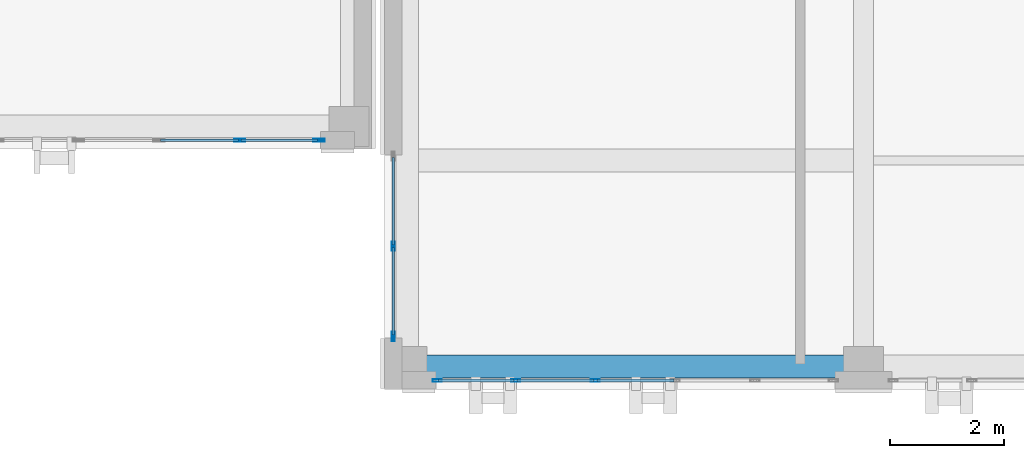
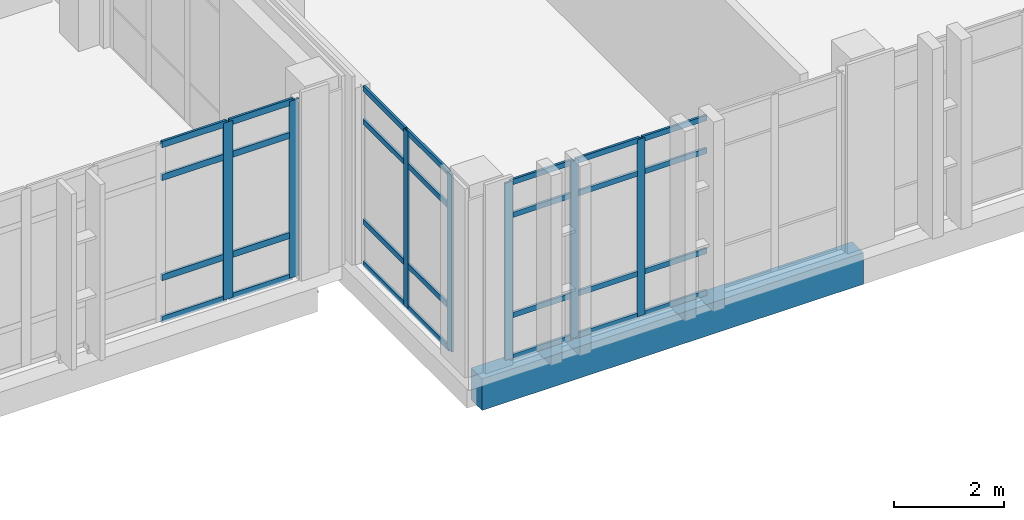
# One storey, part 45 of 193: 35 members, 1 beam, 3 elements without a shape of their own.
"""IFC4 building model written with IfcOpenShell, lengths in metres."""

from ifc_helpers import new_model, si_unit, direction, frame, origin, origin_2d, place, context, subcontext, project, spatial, rectangle, hollow_rectangle, extrude, material, layer, layer_set, material_profile, profile_set, type_object, element, aggregate, save


model = new_model("IFC4")

# Units and contexts
model_context = context("Model", 3, precision=1e-05, world=origin(), true_north=direction((0.0, 1.0)))
body_context = subcontext(model_context, "Body", "Model", "MODEL_VIEW")
ifc_project = project(units=[si_unit("LENGTHUNIT", "METRE"), si_unit("AREAUNIT", "SQUARE_METRE"), si_unit("VOLUMEUNIT", "CUBIC_METRE"), si_unit("PLANEANGLEUNIT", "RADIAN"), si_unit("MASSUNIT", "GRAM", prefix="KILO")], contexts=[model_context])

# Site, building, storey
site_placement = place(None, origin())
site = spatial("IfcSite", under=ifc_project, at=site_placement, CompositionType="ELEMENT")
building_placement = place(site_placement, origin())
building = spatial("IfcBuilding", under=site, at=building_placement, Name="Qalavern Law Courts", CompositionType="ELEMENT")
storey_placement = place(building_placement, frame((0.0, 0.0, 10.199951171875)))
storey = spatial("IfcBuildingStorey", under=building, at=storey_placement, Name="L02", CompositionType="ELEMENT", Elevation=10.199951171875)

# Curtain wall, members
ifc_material_1 = material(Name="Anodised aluminium and insulated glazing", Category="aluminium")
ifc_layer_1 = layer(ifc_material_1, 0.172119140625)
ifc_layer_set_1 = layer_set([ifc_layer_1], Name="Anodised aluminium and insulated glazing")
curtain_wall_type_1 = type_object("IfcCurtainWallType", Name="ENV-CW-COURT", PredefinedType="USERDEFINED", material=ifc_layer_set_1)
curtain_wall_1_placement = place(storey_placement, origin())
curtain_wall_1 = element("IfcCurtainWall", 1, at=curtain_wall_1_placement, inside=storey, type_object=curtain_wall_type_1, Name="V6 unitised curtain wall L02 south 1", ObjectType="UNITISED CURTAIN WALL", PredefinedType="USERDEFINED")
ifc_material_2 = material(Name="Anodised aluminium", Category="aluminium")
ifc_material_profile_1 = material_profile(ifc_material_2, hollow_rectangle(XDim=0.048095703125, YDim=0.159912109375, WallThickness=0.00390625, at=origin_2d()), Name="ALU MULLION 48x160")
ifc_profile_set_1 = profile_set([ifc_material_profile_1], Name="Anodised aluminium")
member_type_1 = type_object("IfcMemberType", Name="ENV-CWM-48x160", PredefinedType="MULLION", material=ifc_profile_set_1)
member_1_placement = place(storey_placement, frame((102.343994140625, 1.155029296875, 0.0), z_axis=(0.0, 0.0, 1.0), x_axis=(0.0, 1.0, 0.0)))
member_1 = element("IfcMember", 2, at=member_1_placement, type_object=member_type_1, Name="CW-03 mullion 1", PredefinedType="MULLION", context=body_context, shape_type="SweptSolid", body=[
    extrude(hollow_rectangle(XDim=0.048095703125, YDim=0.159912109375, WallThickness=0.00390625, at=origin_2d()), origin(), (0.0, 0.0, 1.0), 3.9150390625),
])
member_2_placement = place(storey_placement, frame((103.716064453125, 1.155029296875, 0.0), z_axis=(0.0, 0.0, 1.0), x_axis=(0.0, 1.0, 0.0)))
member_2 = element("IfcMember", 3, at=member_2_placement, type_object=member_type_1, Name="CW-03 mullion 2", PredefinedType="MULLION", context=body_context, shape_type="SweptSolid", body=[
    extrude(hollow_rectangle(XDim=0.048095703125, YDim=0.159912109375, WallThickness=0.00390625, at=origin_2d()), origin(), (0.0, 0.0, 1.0), 3.9150390625),
])
member_3_placement = place(storey_placement, frame((105.112060546875, 1.155029296875, 0.0), z_axis=(0.0, 0.0, 1.0), x_axis=(0.0, 1.0, 0.0)))
member_3 = element("IfcMember", 4, at=member_3_placement, type_object=member_type_1, Name="CW-03 mullion 3", PredefinedType="MULLION", context=body_context, shape_type="SweptSolid", body=[
    extrude(hollow_rectangle(XDim=0.048095703125, YDim=0.159912109375, WallThickness=0.00390625, at=origin_2d()), origin(), (0.0, 0.0, 1.0), 3.9150390625),
])

curtain_wall_2_placement = place(storey_placement, origin())
curtain_wall_2 = element("IfcCurtainWall", 5, at=curtain_wall_2_placement, inside=storey, type_object=curtain_wall_type_1, Name="V6 unitised curtain wall L02 west 2", ObjectType="UNITISED CURTAIN WALL", PredefinedType="USERDEFINED")
member_4_placement = place(storey_placement, frame((101.574951171875, 3.5, 0.0), z_axis=(0.0, 0.0, 1.0), x_axis=(1.0, 0.0, 0.0)))
member_4 = element("IfcMember", 6, at=member_4_placement, type_object=member_type_1, Name="CW-03 mullion 2", PredefinedType="MULLION", context=body_context, shape_type="SweptSolid", body=[
    extrude(hollow_rectangle(XDim=0.048095703125, YDim=0.159912109375, WallThickness=0.00390625, at=origin_2d()), origin(), (0.0, 0.0, 1.0), 3.9150390625),
])
member_5_placement = place(storey_placement, frame((101.574951171875, 1.924072265625, 0.0), z_axis=(0.0, 0.0, 1.0), x_axis=(1.0, 0.0, 0.0)))
member_5 = element("IfcMember", 7, at=member_5_placement, type_object=member_type_1, Name="CW-03 mullion 3", PredefinedType="MULLION", context=body_context, shape_type="SweptSolid", body=[
    extrude(hollow_rectangle(XDim=0.048095703125, YDim=0.159912109375, WallThickness=0.00390625, at=origin_2d()), origin(), (0.0, 0.0, 1.0), 3.9150390625),
])

ifc_layer_2 = layer(ifc_material_1, 0.18505859375)
ifc_layer_set_2 = layer_set([ifc_layer_2], Name="Anodised aluminium and insulated glazing")
curtain_wall_type_2 = type_object("IfcCurtainWallType", Name="ENV-CW-HALL", PredefinedType="USERDEFINED", material=ifc_layer_set_2)
curtain_wall_3_placement = place(storey_placement, origin())
curtain_wall_3 = element("IfcCurtainWall", 8, at=curtain_wall_3_placement, inside=storey, type_object=curtain_wall_type_2, Name="V2 unitised curtain wall L02 south 6", ObjectType="UNITISED CURTAIN WALL", PredefinedType="USERDEFINED")
ifc_material_profile_2 = material_profile(ifc_material_2, hollow_rectangle(XDim=0.048095703125, YDim=0.199951171875, WallThickness=0.00439453125, at=origin_2d()), Name="ALU MULLION 48x200")
ifc_profile_set_2 = profile_set([ifc_material_profile_2], Name="Anodised aluminium")
member_type_2 = type_object("IfcMemberType", Name="ENV-CWM-48x200", PredefinedType="MULLION", material=ifc_profile_set_2)
member_6_placement = place(storey_placement, frame((98.890869140625, 5.35498046875, 0.0), z_axis=(0.0, 0.0, 1.0), x_axis=(0.0, 1.0, 0.0)))
member_6 = element("IfcMember", 9, at=member_6_placement, type_object=member_type_2, Name="CW-02 mullion 6", PredefinedType="MULLION", context=body_context, shape_type="SweptSolid", body=[
    extrude(hollow_rectangle(XDim=0.048095703125, YDim=0.199951171875, WallThickness=0.00439453125, at=origin_2d()), origin(), (0.0, 0.0, 1.0), 3.9150390625),
])
member_7_placement = place(storey_placement, frame((100.27587890625, 5.35498046875, 0.0), z_axis=(0.0, 0.0, 1.0), x_axis=(0.0, 1.0, 0.0)))
member_7 = element("IfcMember", 10, at=member_7_placement, type_object=member_type_2, Name="CW-02 mullion 7", PredefinedType="MULLION", context=body_context, shape_type="SweptSolid", body=[
    extrude(hollow_rectangle(XDim=0.048095703125, YDim=0.199951171875, WallThickness=0.00439453125, at=origin_2d()), origin(), (0.0, 0.0, 1.0), 3.9150390625),
])

# Member
ifc_material_profile_3 = material_profile(ifc_material_2, hollow_rectangle(XDim=0.048095703125, YDim=0.1201171875, WallThickness=0.00390625, at=origin_2d()), Name="ALU TRANSOM 48x120")
ifc_profile_set_3 = profile_set([ifc_material_profile_3], Name="Anodised aluminium")
member_type_3 = type_object("IfcMemberType", Name="ENV-CWT-48x120", PredefinedType="USERDEFINED", material=ifc_profile_set_3)
member_8_placement = place(storey_placement, frame((102.367919921875, 1.155029296875, 0.024169921875), z_axis=(1.0, 0.0, 0.0), x_axis=(0.0, 1.0, 0.0)))
member_8 = element("IfcMember", 11, at=member_8_placement, type_object=member_type_3, Name="CW-03 transom 1.1", ObjectType="TRANSOM", PredefinedType="USERDEFINED", context=body_context, shape_type="SweptSolid", body=[
    extrude(hollow_rectangle(XDim=0.048095703125, YDim=0.1201171875, WallThickness=0.00390625, at=origin_2d()), origin(), (0.0, 0.0, 1.0), 1.323974609375),
])

member_9_placement = place(storey_placement, frame((102.367919921875, 1.155029296875, 0.949951171875), z_axis=(1.0, 0.0, 0.0), x_axis=(0.0, 1.0, 0.0)))
member_9 = element("IfcMember", 12, at=member_9_placement, type_object=member_type_3, Name="CW-03 transom 1.2", ObjectType="TRANSOM", PredefinedType="USERDEFINED", context=body_context, shape_type="SweptSolid", body=[
    extrude(hollow_rectangle(XDim=0.048095703125, YDim=0.1201171875, WallThickness=0.00390625, at=origin_2d()), origin(), (0.0, 0.0, 1.0), 1.323974609375),
])

member_10_placement = place(storey_placement, frame((102.367919921875, 1.155029296875, 3.1650390625), z_axis=(1.0, 0.0, 0.0), x_axis=(0.0, 1.0, 0.0)))
member_10 = element("IfcMember", 13, at=member_10_placement, type_object=member_type_3, Name="CW-03 transom 1.3", ObjectType="TRANSOM", PredefinedType="USERDEFINED", context=body_context, shape_type="SweptSolid", body=[
    extrude(hollow_rectangle(XDim=0.048095703125, YDim=0.1201171875, WallThickness=0.00390625, at=origin_2d()), origin(), (0.0, 0.0, 1.0), 1.323974609375),
])

member_11_placement = place(storey_placement, frame((102.367919921875, 1.155029296875, 3.89111328125), z_axis=(1.0, 0.0, 0.0), x_axis=(0.0, 1.0, 0.0)))
member_11 = element("IfcMember", 14, at=member_11_placement, type_object=member_type_3, Name="CW-03 transom 1.4", ObjectType="TRANSOM", PredefinedType="USERDEFINED", context=body_context, shape_type="SweptSolid", body=[
    extrude(hollow_rectangle(XDim=0.048095703125, YDim=0.1201171875, WallThickness=0.00390625, at=origin_2d()), origin(), (0.0, 0.0, 1.0), 1.323974609375),
])

member_12_placement = place(storey_placement, frame((103.739990234375, 1.155029296875, 0.024169921875), z_axis=(1.0, 0.0, 0.0), x_axis=(0.0, 1.0, 0.0)))
member_12 = element("IfcMember", 15, at=member_12_placement, type_object=member_type_3, Name="CW-03 transom 2.1", ObjectType="TRANSOM", PredefinedType="USERDEFINED", context=body_context, shape_type="SweptSolid", body=[
    extrude(hollow_rectangle(XDim=0.048095703125, YDim=0.1201171875, WallThickness=0.00390625, at=origin_2d()), origin(), (0.0, 0.0, 1.0), 1.347900390625),
])

member_13_placement = place(storey_placement, frame((103.739990234375, 1.155029296875, 0.949951171875), z_axis=(1.0, 0.0, 0.0), x_axis=(0.0, 1.0, 0.0)))
member_13 = element("IfcMember", 16, at=member_13_placement, type_object=member_type_3, Name="CW-03 transom 2.2", ObjectType="TRANSOM", PredefinedType="USERDEFINED", context=body_context, shape_type="SweptSolid", body=[
    extrude(hollow_rectangle(XDim=0.048095703125, YDim=0.1201171875, WallThickness=0.00390625, at=origin_2d()), origin(), (0.0, 0.0, 1.0), 1.347900390625),
])

member_14_placement = place(storey_placement, frame((103.739990234375, 1.155029296875, 3.1650390625), z_axis=(1.0, 0.0, 0.0), x_axis=(0.0, 1.0, 0.0)))
member_14 = element("IfcMember", 17, at=member_14_placement, type_object=member_type_3, Name="CW-03 transom 2.3", ObjectType="TRANSOM", PredefinedType="USERDEFINED", context=body_context, shape_type="SweptSolid", body=[
    extrude(hollow_rectangle(XDim=0.048095703125, YDim=0.1201171875, WallThickness=0.00390625, at=origin_2d()), origin(), (0.0, 0.0, 1.0), 1.347900390625),
])

member_15_placement = place(storey_placement, frame((103.739990234375, 1.155029296875, 3.89111328125), z_axis=(1.0, 0.0, 0.0), x_axis=(0.0, 1.0, 0.0)))
member_15 = element("IfcMember", 18, at=member_15_placement, type_object=member_type_3, Name="CW-03 transom 2.4", ObjectType="TRANSOM", PredefinedType="USERDEFINED", context=body_context, shape_type="SweptSolid", body=[
    extrude(hollow_rectangle(XDim=0.048095703125, YDim=0.1201171875, WallThickness=0.00390625, at=origin_2d()), origin(), (0.0, 0.0, 1.0), 1.347900390625),
])

member_16_placement = place(storey_placement, frame((105.135986328125, 1.155029296875, 0.024169921875), z_axis=(1.0, 0.0, 0.0), x_axis=(0.0, 1.0, 0.0)))
member_16 = element("IfcMember", 19, at=member_16_placement, type_object=member_type_3, Name="CW-03 transom 3.1", ObjectType="TRANSOM", PredefinedType="USERDEFINED", context=body_context, shape_type="SweptSolid", body=[
    extrude(hollow_rectangle(XDim=0.048095703125, YDim=0.1201171875, WallThickness=0.00390625, at=origin_2d()), origin(), (0.0, 0.0, 1.0), 1.347900390625),
])

member_17_placement = place(storey_placement, frame((105.135986328125, 1.155029296875, 0.949951171875), z_axis=(1.0, 0.0, 0.0), x_axis=(0.0, 1.0, 0.0)))
member_17 = element("IfcMember", 20, at=member_17_placement, type_object=member_type_3, Name="CW-03 transom 3.2", ObjectType="TRANSOM", PredefinedType="USERDEFINED", context=body_context, shape_type="SweptSolid", body=[
    extrude(hollow_rectangle(XDim=0.048095703125, YDim=0.1201171875, WallThickness=0.00390625, at=origin_2d()), origin(), (0.0, 0.0, 1.0), 1.347900390625),
])

member_18_placement = place(storey_placement, frame((105.135986328125, 1.155029296875, 3.1650390625), z_axis=(1.0, 0.0, 0.0), x_axis=(0.0, 1.0, 0.0)))
member_18 = element("IfcMember", 21, at=member_18_placement, type_object=member_type_3, Name="CW-03 transom 3.3", ObjectType="TRANSOM", PredefinedType="USERDEFINED", context=body_context, shape_type="SweptSolid", body=[
    extrude(hollow_rectangle(XDim=0.048095703125, YDim=0.1201171875, WallThickness=0.00390625, at=origin_2d()), origin(), (0.0, 0.0, 1.0), 1.347900390625),
])

member_19_placement = place(storey_placement, frame((105.135986328125, 1.155029296875, 3.89111328125), z_axis=(1.0, 0.0, 0.0), x_axis=(0.0, 1.0, 0.0)))
member_19 = element("IfcMember", 22, at=member_19_placement, type_object=member_type_3, Name="CW-03 transom 3.4", ObjectType="TRANSOM", PredefinedType="USERDEFINED", context=body_context, shape_type="SweptSolid", body=[
    extrude(hollow_rectangle(XDim=0.048095703125, YDim=0.1201171875, WallThickness=0.00390625, at=origin_2d()), origin(), (0.0, 0.0, 1.0), 1.347900390625),
])

aggregate(curtain_wall_1, [member_1, member_2, member_3, member_8, member_9, member_10, member_11, member_12, member_13, member_14, member_15, member_16, member_17, member_18, member_19])

member_20_placement = place(storey_placement, frame((101.574951171875, 5.052001953125, 0.024169921875), z_axis=(0.0, -1.0, 0.0), x_axis=(1.0, 0.0, 0.0)))
member_20 = element("IfcMember", 23, at=member_20_placement, type_object=member_type_3, Name="CW-03 transom 1.1", ObjectType="TRANSOM", PredefinedType="USERDEFINED", context=body_context, shape_type="SweptSolid", body=[
    extrude(hollow_rectangle(XDim=0.048095703125, YDim=0.1201171875, WallThickness=0.00390625, at=origin_2d()), origin(), (0.0, 0.0, 1.0), 1.528076171875),
])

member_21_placement = place(storey_placement, frame((101.574951171875, 5.052001953125, 0.949951171875), z_axis=(0.0, -1.0, 0.0), x_axis=(1.0, 0.0, 0.0)))
member_21 = element("IfcMember", 24, at=member_21_placement, type_object=member_type_3, Name="CW-03 transom 1.2", ObjectType="TRANSOM", PredefinedType="USERDEFINED", context=body_context, shape_type="SweptSolid", body=[
    extrude(hollow_rectangle(XDim=0.048095703125, YDim=0.1201171875, WallThickness=0.00390625, at=origin_2d()), origin(), (0.0, 0.0, 1.0), 1.528076171875),
])

member_22_placement = place(storey_placement, frame((101.574951171875, 5.052001953125, 3.1650390625), z_axis=(0.0, -1.0, 0.0), x_axis=(1.0, 0.0, 0.0)))
member_22 = element("IfcMember", 25, at=member_22_placement, type_object=member_type_3, Name="CW-03 transom 1.3", ObjectType="TRANSOM", PredefinedType="USERDEFINED", context=body_context, shape_type="SweptSolid", body=[
    extrude(hollow_rectangle(XDim=0.048095703125, YDim=0.1201171875, WallThickness=0.00390625, at=origin_2d()), origin(), (0.0, 0.0, 1.0), 1.528076171875),
])

member_23_placement = place(storey_placement, frame((101.574951171875, 5.052001953125, 3.89111328125), z_axis=(0.0, -1.0, 0.0), x_axis=(1.0, 0.0, 0.0)))
member_23 = element("IfcMember", 26, at=member_23_placement, type_object=member_type_3, Name="CW-03 transom 1.4", ObjectType="TRANSOM", PredefinedType="USERDEFINED", context=body_context, shape_type="SweptSolid", body=[
    extrude(hollow_rectangle(XDim=0.048095703125, YDim=0.1201171875, WallThickness=0.00390625, at=origin_2d()), origin(), (0.0, 0.0, 1.0), 1.528076171875),
])

member_24_placement = place(storey_placement, frame((101.574951171875, 3.47607421875, 0.024169921875), z_axis=(0.0, -1.0, 0.0), x_axis=(1.0, 0.0, 0.0)))
member_24 = element("IfcMember", 27, at=member_24_placement, type_object=member_type_3, Name="CW-03 transom 2.1", ObjectType="TRANSOM", PredefinedType="USERDEFINED", context=body_context, shape_type="SweptSolid", body=[
    extrude(hollow_rectangle(XDim=0.048095703125, YDim=0.1201171875, WallThickness=0.00390625, at=origin_2d()), origin(), (0.0, 0.0, 1.0), 1.528076171875),
])

member_25_placement = place(storey_placement, frame((101.574951171875, 3.47607421875, 0.949951171875), z_axis=(0.0, -1.0, 0.0), x_axis=(1.0, 0.0, 0.0)))
member_25 = element("IfcMember", 28, at=member_25_placement, type_object=member_type_3, Name="CW-03 transom 2.2", ObjectType="TRANSOM", PredefinedType="USERDEFINED", context=body_context, shape_type="SweptSolid", body=[
    extrude(hollow_rectangle(XDim=0.048095703125, YDim=0.1201171875, WallThickness=0.00390625, at=origin_2d()), origin(), (0.0, 0.0, 1.0), 1.528076171875),
])

member_26_placement = place(storey_placement, frame((101.574951171875, 3.47607421875, 3.1650390625), z_axis=(0.0, -1.0, 0.0), x_axis=(1.0, 0.0, 0.0)))
member_26 = element("IfcMember", 29, at=member_26_placement, type_object=member_type_3, Name="CW-03 transom 2.3", ObjectType="TRANSOM", PredefinedType="USERDEFINED", context=body_context, shape_type="SweptSolid", body=[
    extrude(hollow_rectangle(XDim=0.048095703125, YDim=0.1201171875, WallThickness=0.00390625, at=origin_2d()), origin(), (0.0, 0.0, 1.0), 1.528076171875),
])

member_27_placement = place(storey_placement, frame((101.574951171875, 3.47607421875, 3.89111328125), z_axis=(0.0, -1.0, 0.0), x_axis=(1.0, 0.0, 0.0)))
member_27 = element("IfcMember", 30, at=member_27_placement, type_object=member_type_3, Name="CW-03 transom 2.4", ObjectType="TRANSOM", PredefinedType="USERDEFINED", context=body_context, shape_type="SweptSolid", body=[
    extrude(hollow_rectangle(XDim=0.048095703125, YDim=0.1201171875, WallThickness=0.00390625, at=origin_2d()), origin(), (0.0, 0.0, 1.0), 1.528076171875),
])

aggregate(curtain_wall_2, [member_4, member_5, member_20, member_21, member_22, member_23, member_24, member_25, member_26, member_27])

ifc_material_profile_4 = material_profile(ifc_material_2, hollow_rectangle(XDim=0.048095703125, YDim=0.139892578125, WallThickness=0.00390625, at=origin_2d()), Name="ALU TRANSOM 48x140")
ifc_profile_set_4 = profile_set([ifc_material_profile_4], Name="Anodised aluminium")
member_type_4 = type_object("IfcMemberType", Name="ENV-CWT-48x140", PredefinedType="USERDEFINED", material=ifc_profile_set_4)
member_28_placement = place(storey_placement, frame((97.505859375, 5.35498046875, 0.024169921875), z_axis=(1.0, 0.0, 0.0), x_axis=(0.0, 1.0, 0.0)))
member_28 = element("IfcMember", 31, at=member_28_placement, type_object=member_type_4, Name="CW-02 transom 5.1", ObjectType="TRANSOM", PredefinedType="USERDEFINED", context=body_context, shape_type="SweptSolid", body=[
    extrude(hollow_rectangle(XDim=0.048095703125, YDim=0.139892578125, WallThickness=0.00390625, at=origin_2d()), origin(), (0.0, 0.0, 1.0), 1.361083984375),
])

member_29_placement = place(storey_placement, frame((97.505859375, 5.35498046875, 0.949951171875), z_axis=(1.0, 0.0, 0.0), x_axis=(0.0, 1.0, 0.0)))
member_29 = element("IfcMember", 32, at=member_29_placement, type_object=member_type_4, Name="CW-02 transom 5.2", ObjectType="TRANSOM", PredefinedType="USERDEFINED", context=body_context, shape_type="SweptSolid", body=[
    extrude(hollow_rectangle(XDim=0.048095703125, YDim=0.139892578125, WallThickness=0.00390625, at=origin_2d()), origin(), (0.0, 0.0, 1.0), 1.361083984375),
])

member_30_placement = place(storey_placement, frame((97.505859375, 5.35498046875, 3.1650390625), z_axis=(1.0, 0.0, 0.0), x_axis=(0.0, 1.0, 0.0)))
member_30 = element("IfcMember", 33, at=member_30_placement, type_object=member_type_4, Name="CW-02 transom 5.3", ObjectType="TRANSOM", PredefinedType="USERDEFINED", context=body_context, shape_type="SweptSolid", body=[
    extrude(hollow_rectangle(XDim=0.048095703125, YDim=0.139892578125, WallThickness=0.00390625, at=origin_2d()), origin(), (0.0, 0.0, 1.0), 1.361083984375),
])

member_31_placement = place(storey_placement, frame((97.505859375, 5.35498046875, 3.89111328125), z_axis=(1.0, 0.0, 0.0), x_axis=(0.0, 1.0, 0.0)))
member_31 = element("IfcMember", 34, at=member_31_placement, type_object=member_type_4, Name="CW-02 transom 5.4", ObjectType="TRANSOM", PredefinedType="USERDEFINED", context=body_context, shape_type="SweptSolid", body=[
    extrude(hollow_rectangle(XDim=0.048095703125, YDim=0.139892578125, WallThickness=0.00390625, at=origin_2d()), origin(), (0.0, 0.0, 1.0), 1.361083984375),
])

member_32_placement = place(storey_placement, frame((98.9150390625, 5.35498046875, 0.024169921875), z_axis=(1.0, 0.0, 0.0), x_axis=(0.0, 1.0, 0.0)))
member_32 = element("IfcMember", 35, at=member_32_placement, type_object=member_type_4, Name="CW-02 transom 6.1", ObjectType="TRANSOM", PredefinedType="USERDEFINED", context=body_context, shape_type="SweptSolid", body=[
    extrude(hollow_rectangle(XDim=0.048095703125, YDim=0.139892578125, WallThickness=0.00390625, at=origin_2d()), origin(), (0.0, 0.0, 1.0), 1.3369140625),
])

member_33_placement = place(storey_placement, frame((98.9150390625, 5.35498046875, 0.949951171875), z_axis=(1.0, 0.0, 0.0), x_axis=(0.0, 1.0, 0.0)))
member_33 = element("IfcMember", 36, at=member_33_placement, type_object=member_type_4, Name="CW-02 transom 6.2", ObjectType="TRANSOM", PredefinedType="USERDEFINED", context=body_context, shape_type="SweptSolid", body=[
    extrude(hollow_rectangle(XDim=0.048095703125, YDim=0.139892578125, WallThickness=0.00390625, at=origin_2d()), origin(), (0.0, 0.0, 1.0), 1.3369140625),
])

member_34_placement = place(storey_placement, frame((98.9150390625, 5.35498046875, 3.1650390625), z_axis=(1.0, 0.0, 0.0), x_axis=(0.0, 1.0, 0.0)))
member_34 = element("IfcMember", 37, at=member_34_placement, type_object=member_type_4, Name="CW-02 transom 6.3", ObjectType="TRANSOM", PredefinedType="USERDEFINED", context=body_context, shape_type="SweptSolid", body=[
    extrude(hollow_rectangle(XDim=0.048095703125, YDim=0.139892578125, WallThickness=0.00390625, at=origin_2d()), origin(), (0.0, 0.0, 1.0), 1.3369140625),
])

member_35_placement = place(storey_placement, frame((98.9150390625, 5.35498046875, 3.89111328125), z_axis=(1.0, 0.0, 0.0), x_axis=(0.0, 1.0, 0.0)))
member_35 = element("IfcMember", 38, at=member_35_placement, type_object=member_type_4, Name="CW-02 transom 6.4", ObjectType="TRANSOM", PredefinedType="USERDEFINED", context=body_context, shape_type="SweptSolid", body=[
    extrude(hollow_rectangle(XDim=0.048095703125, YDim=0.139892578125, WallThickness=0.00390625, at=origin_2d()), origin(), (0.0, 0.0, 1.0), 1.3369140625),
])

aggregate(curtain_wall_3, [member_6, member_7, member_28, member_29, member_30, member_31, member_32, member_33, member_34, member_35])

# Beam
ifc_material_3 = material(Name="Concrete C40/50", Category="concrete")
ifc_material_profile_5 = material_profile(ifc_material_3, rectangle(XDim=0.39990234375, YDim=0.699951171875, at=origin_2d()), Name="RC 400x700")
ifc_profile_set_5 = profile_set([ifc_material_profile_5], Name="Concrete C40/50")
beam_type = type_object("IfcBeamType", Name="STR-SP-RC400x700", PredefinedType="SPANDREL", material=ifc_profile_set_5)
beam_placement = place(storey_placement, frame((101.820068359375, 1.39990234375, -0.639892578125), z_axis=(1.0, 0.0, 0.0), x_axis=(0.0, 1.0, 0.0)))
element("IfcBeam", 39, at=beam_placement, inside=storey, type_object=beam_type, Name="V6 X-beam 1-1 L02", PredefinedType="SPANDREL", context=body_context, shape_type="SweptSolid", body=[
    extrude(rectangle(XDim=0.39990234375, YDim=0.699951171875, at=origin_2d()), origin(), (0.0, 0.0, 1.0), 7.97998046875),
])

save(model, "model.ifc")
